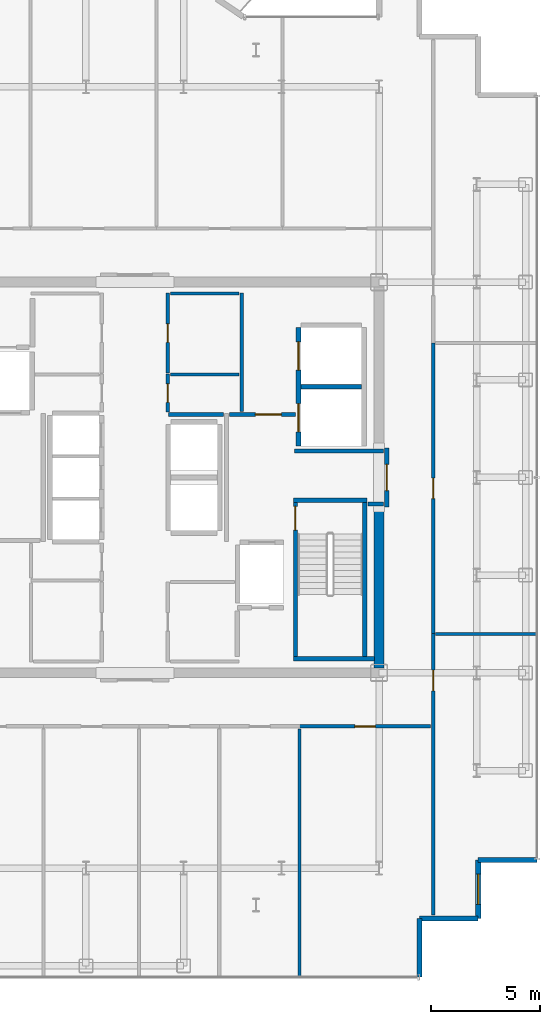
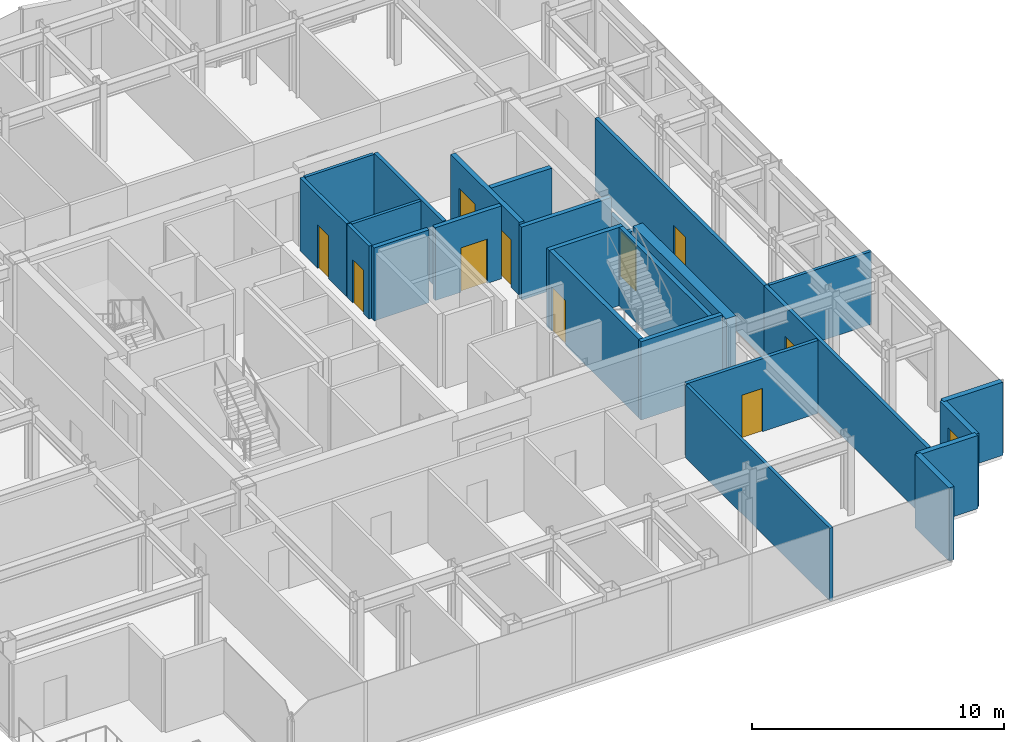
# One storey, part 13 of 17: 26 walls, 10 doors, 1 window, 11 openings.
"""IFC4 building model written with IfcOpenShell, lengths in metres."""

from ifc_helpers import new_model, si_unit, direction, frame, frame_2d, origin, place, context, subcontext, project, spatial, rectangle, extrude, source, transform, mapped, material, layer, layer_set, type_object, element, fill, save


model = new_model("IFC4")

# Units and contexts
model_context = context("Model", 3, precision=1e-05, world=origin(), true_north=direction((0.0, 1.0)))
body_context = subcontext(model_context, "Body", "Model", "MODEL_VIEW")
ifc_project = project(units=[si_unit("LENGTHUNIT", "METRE"), si_unit("AREAUNIT", "SQUARE_METRE"), si_unit("VOLUMEUNIT", "CUBIC_METRE"), si_unit("PLANEANGLEUNIT", "RADIAN"), si_unit("MASSUNIT", "GRAM", prefix="KILO")], contexts=[model_context])

# Site, building, storey
site_placement = place(None, origin())
site = spatial("IfcSite", under=ifc_project, at=site_placement, CompositionType="ELEMENT")
building_placement = place(site_placement, origin())
building = spatial("IfcBuilding", under=site, at=building_placement, Name="Nefas-Gora Pilgrimage Tower", CompositionType="ELEMENT")
storey_placement = place(building_placement, frame((0.0, 0.0, 279.800048828125)))
storey = spatial("IfcBuildingStorey", under=building, at=storey_placement, Name="L70", CompositionType="ELEMENT", Elevation=279.800048828125)

# Wall
ifc_material_1 = material(Name="Concrete C50/60", Category="concrete")
ifc_layer_1 = layer(ifc_material_1, 0.449951171875)
ifc_layer_set_1 = layer_set([ifc_layer_1], Name="Concrete C50/60")
wall_type_1 = type_object("IfcWallType", Name="SW-CORE-450", PredefinedType="SHEAR", material=ifc_layer_set_1)
shared_shape_1 = source(origin(), body_context, "Body", "SweptSolid", [
    extrude(rectangle(XDim=7.4248046875, YDim=0.449951171875, at=frame_2d((3.71240234375, 0.0))), origin(), (0.0, 0.0, 1.0), 3.800048828125),
])
wall_1_placement = place(storey_placement, frame((11.25, -8.77490234375, 0.0), z_axis=(0.0, 0.0, 1.0), x_axis=(0.0, 1.0, 0.0)))
element("IfcWall", 1, at=wall_1_placement, inside=storey, type_object=wall_type_1, Name="L70 Core Shear Wall E-South", PredefinedType="SHEAR", context=body_context, shape_type="MappedRepresentation", body=[
    mapped(shared_shape_1, transform((0.0, 0.0, 0.0), x_axis=(1.0, 0.0, 0.0), y_axis=(0.0, 1.0, 0.0), z_axis=(0.0, 0.0, 1.0), scale=1.0)),
])

# Wall, opening, window
ifc_material_2 = material(Name="Precast concrete C45/55", Category="concrete")
ifc_layer_2 = layer(ifc_material_2, 0.239990234375)
ifc_layer_set_2 = layer_set([ifc_layer_2], Name="Precast concrete C45/55")
wall_type_2 = type_object("IfcWallType", Name="EW-SERR-240", PredefinedType="SHEAR", material=ifc_layer_set_2)
shared_shape_2 = source(origin(), body_context, "Body", "SweptSolid", [
    extrude(rectangle(XDim=2.699951171875, YDim=0.239990234375, at=frame_2d((1.35009765625, 0.0))), origin(), (0.0, 0.0, 1.0), 3.550048828125),
])
wall_2_placement = place(storey_placement, frame((15.820068359375, -20.320068359375, 0.0), z_axis=(0.0, 0.0, 1.0), x_axis=(0.0, 1.0, 0.0)))
wall_2 = element("IfcWall", 2, at=wall_2_placement, inside=storey, type_object=wall_type_2, Name="L70 Serrated Corner Shear Pier Wall 1", PredefinedType="SHEAR", context=body_context, shape_type="MappedRepresentation", body=[
    mapped(shared_shape_2, transform((0.0, 0.0, 0.0), x_axis=(1.0, 0.0, 0.0), y_axis=(0.0, 1.0, 0.0), z_axis=(0.0, 0.0, 1.0), scale=1.0)),
])
opening_1_placement = place(wall_2_placement, frame((0.64990234375, 0.0, 0.85009765625)))
opening_1 = element("IfcOpeningElement", 3, at=opening_1_placement, cuts=wall_2, Name="Opening W-V2", PredefinedType="OPENING", context=body_context, shape_type="SweptSolid", body=[
    extrude(rectangle(XDim=1.39990234375, YDim=1.800048828125, at=frame_2d((0.699951171875, 0.89990234375))), frame((0.0, 0.1298828125, 0.0), z_axis=(0.0, -1.0, 0.0), x_axis=(1.0, 0.0, 0.0)), (0.0, 0.0, 1.0), 0.260009765625),
])
ifc_material_3 = material(Name="Dark ceramic-fritted operable aluminium-glass window", Category="aluminium")
window_type = type_object("IfcWindowType", Name="WIN-VENT-1400x1800", PartitioningType="SINGLE_PANEL", PredefinedType="WINDOW", material=ifc_material_3)
shared_shape_3 = source(origin(), body_context, "Body", "SweptSolid", [
    extrude(rectangle(XDim=1.39990234375, YDim=1.800048828125, at=frame_2d((0.699951171875, 0.89990234375))), frame((0.0, 0.030029296875, 0.0), z_axis=(0.0, -1.0, 0.0), x_axis=(1.0, 0.0, 0.0)), (0.0, 0.0, 1.0), 0.06005859375),
])
window_placement = place(opening_1_placement, origin())
window = element("IfcWindow", 4, at=window_placement, inside=storey, type_object=window_type, Name="L70 Operable Parallel-Outswing Window 1", OverallHeight=1.800048828125, OverallWidth=1.39990234375, PartitioningType="SINGLE_PANEL", PredefinedType="WINDOW", context=body_context, shape_type="MappedRepresentation", body=[
    mapped(shared_shape_3, transform((0.0, 0.0, 0.0), x_axis=(1.0, 0.0, 0.0), y_axis=(0.0, 1.0, 0.0), z_axis=(0.0, 0.0, 1.0), scale=1.0)),
])
fill(opening_1, window)

# Walls
for number, where, z_axis, x_axis, name in (
    (5, (15.820068359375, -17.6201171875, 0.0), (0.0, 0.0, 1.0), (1.0, 0.0, 0.0), "L70 Serrated Corner Shear Pier Wall 2"),
    (6, (13.1201171875, -23.02001953125, 0.0), (0.0, 0.0, 1.0), (0.0, 1.0, 0.0), "L70 Serrated Corner Shear Pier Wall 25"),
    (7, (13.1201171875, -20.320068359375, 0.0), (0.0, 0.0, 1.0), (1.0, 0.0, 0.0), "L70 Serrated Corner Shear Pier Wall 26"),
):
    element("IfcWall", number, at=place(storey_placement, frame(where, z_axis=z_axis, x_axis=x_axis)), inside=storey, type_object=wall_type_2, Name=name, PredefinedType="SHEAR", context=body_context, shape_type="MappedRepresentation", body=[
        mapped(shared_shape_2, transform((0.0, 0.0, 0.0), x_axis=(1.0, 0.0, 0.0), y_axis=(0.0, 1.0, 0.0), z_axis=(0.0, 0.0, 1.0), scale=1.0)),
    ])
ifc_material_4 = material(Name="Concrete C45/55", Category="concrete")
ifc_layer_3 = layer(ifc_material_4, 0.199951171875)
ifc_layer_set_3 = layer_set([ifc_layer_3], Name="Concrete C45/55")
wall_type_3 = type_object("IfcWallType", Name="IW-STAIR-200", PredefinedType="SOLIDWALL", material=ifc_layer_set_3)
shared_shape_4 = source(origin(), body_context, "Body", "SweptSolid", [
    extrude(rectangle(XDim=3.39990234375, YDim=0.199951171875, at=frame_2d((1.699951171875, 0.0))), origin(), (0.0, 0.0, 1.0), 3.800048828125),
])
wall_3_placement = place(storey_placement, frame((7.300048828125, -1.050048828125, 0.0), z_axis=(0.0, 0.0, 1.0), x_axis=(1.0, 0.0, 0.0)))
element("IfcWall", 8, at=wall_3_placement, inside=storey, type_object=wall_type_3, Name="L70 Stairwell Shear Wall ST-02-near", PredefinedType="SOLIDWALL", context=body_context, shape_type="MappedRepresentation", body=[
    mapped(shared_shape_4, transform((0.0, 0.0, 0.0), x_axis=(1.0, 0.0, 0.0), y_axis=(0.0, 1.0, 0.0), z_axis=(0.0, 0.0, 1.0), scale=1.0)),
])

# Wall, opening, door
shared_shape_5 = source(origin(), body_context, "Body", "SweptSolid", [
    extrude(rectangle(XDim=7.10009765625, YDim=0.199951171875, at=frame_2d((3.550048828125, 0.0))), origin(), (0.0, 0.0, 1.0), 3.800048828125),
])
wall_4_placement = place(storey_placement, frame((7.39990234375, -1.14990234375, 0.0), z_axis=(0.0, 0.0, 1.0), x_axis=(0.0, -1.0, 0.0)))
wall_4 = element("IfcWall", 9, at=wall_4_placement, inside=storey, type_object=wall_type_3, Name="L70 Stairwell Shear Wall ST-02-left", PredefinedType="SOLIDWALL", context=body_context, shape_type="MappedRepresentation", body=[
    mapped(shared_shape_5, transform((0.0, 0.0, 0.0), x_axis=(1.0, 0.0, 0.0), y_axis=(0.0, 1.0, 0.0), z_axis=(0.0, 0.0, 1.0), scale=1.0)),
])
opening_2_placement = place(wall_4_placement, frame((0.179931640625, 0.0, 0.0)))
opening_2 = element("IfcOpeningElement", 10, at=opening_2_placement, cuts=wall_4, Name="Opening ID-ST1", PredefinedType="OPENING", context=body_context, shape_type="SweptSolid", body=[
    extrude(rectangle(XDim=1.10009765625, YDim=2.14990234375, at=frame_2d((0.550048828125, 1.074951171875))), frame((0.0, 0.10986328125, 0.0), z_axis=(0.0, -1.0, 0.0), x_axis=(1.0, 0.0, 0.0)), (0.0, 0.0, 1.0), 0.219970703125),
])
ifc_material_5 = material(Name="Painted galvanised steel fire stair door", Category="steel")
door_type_1 = type_object("IfcDoorType", Name="DR-INT-STAIR-1100", OperationType="NOTDEFINED", PredefinedType="DOOR", material=ifc_material_5)
shared_shape_6 = source(origin(), body_context, "Body", "SweptSolid", [
    extrude(rectangle(XDim=1.10009765625, YDim=2.14990234375, at=frame_2d((0.550048828125, 1.074951171875))), frame((0.0, 0.02490234375, 0.0), z_axis=(0.0, -1.0, 0.0), x_axis=(1.0, 0.0, 0.0)), (0.0, 0.0, 1.0), 0.050048828125),
])
door_1_placement = place(opening_2_placement, origin())
door_1 = element("IfcDoor", 11, at=door_1_placement, inside=storey, type_object=door_type_1, Name="L70 Protected Exit Stair Door ST-02", OperationType="SINGLE_SWING_LEFT", OverallHeight=2.14990234375, OverallWidth=1.10009765625, PredefinedType="DOOR", context=body_context, shape_type="MappedRepresentation", body=[
    mapped(shared_shape_6, transform((0.0, 0.0, 0.0), x_axis=(1.0, 0.0, 0.0), y_axis=(0.0, 1.0, 0.0), z_axis=(0.0, 0.0, 1.0), scale=1.0)),
])
fill(opening_2, door_1)

# Walls
wall_5_placement = place(storey_placement, frame((10.60009765625, -1.14990234375, 0.0), z_axis=(0.0, 0.0, 1.0), x_axis=(0.0, -1.0, 0.0)))
element("IfcWall", 12, at=wall_5_placement, inside=storey, type_object=wall_type_3, Name="L70 Stairwell Shear Wall ST-02-right", PredefinedType="SOLIDWALL", context=body_context, shape_type="MappedRepresentation", body=[
    mapped(shared_shape_5, transform((0.0, 0.0, 0.0), x_axis=(1.0, 0.0, 0.0), y_axis=(0.0, 1.0, 0.0), z_axis=(0.0, 0.0, 1.0), scale=1.0)),
])
shared_shape_7 = source(origin(), body_context, "Body", "SweptSolid", [
    extrude(rectangle(XDim=3.72998046875, YDim=0.199951171875, at=frame_2d((1.864990234375, 0.0))), origin(), (0.0, 0.0, 1.0), 3.800048828125),
])
wall_6_placement = place(storey_placement, frame((7.300048828125, -8.35009765625, 0.0), z_axis=(0.0, 0.0, 1.0), x_axis=(1.0, 0.0, 0.0)))
element("IfcWall", 13, at=wall_6_placement, inside=storey, type_object=wall_type_3, Name="L70 Stairwell Shear Wall ST-02-far", PredefinedType="SOLIDWALL", context=body_context, shape_type="MappedRepresentation", body=[
    mapped(shared_shape_7, transform((0.0, 0.0, 0.0), x_axis=(1.0, 0.0, 0.0), y_axis=(0.0, 1.0, 0.0), z_axis=(0.0, 0.0, 1.0), scale=1.0)),
])

# Wall, openings, doors
ifc_material_6 = material(Name="Concrete C40/50", Category="concrete")
ifc_layer_4 = layer(ifc_material_6, 0.219970703125)
ifc_layer_set_4 = layer_set([ifc_layer_4], Name="Concrete C40/50")
wall_type_4 = type_object("IfcWallType", Name="IW-SHAFT-220", PredefinedType="SOLIDWALL", material=ifc_layer_set_4)
shared_shape_8 = source(origin(), body_context, "Body", "SweptSolid", [
    extrude(rectangle(XDim=5.449951171875, YDim=0.219970703125, at=frame_2d((2.72509765625, 0.0))), origin(), (0.0, 0.0, 1.0), 3.534912109375),
])
wall_7_placement = place(storey_placement, frame((7.5400390625, 6.89990234375, 0.0), z_axis=(0.0, 0.0, 1.0), x_axis=(0.0, -1.0, 0.0)))
wall_7 = element("IfcWall", 14, at=wall_7_placement, inside=storey, type_object=wall_type_4, Name="L70 Hoistway Wall SL-01-02-W", PredefinedType="SOLIDWALL", context=body_context, shape_type="MappedRepresentation", body=[
    mapped(shared_shape_8, transform((0.0, 0.0, 0.0), x_axis=(1.0, 0.0, 0.0), y_axis=(0.0, 1.0, 0.0), z_axis=(0.0, 0.0, 1.0), scale=1.0)),
])
opening_3_placement = place(wall_7_placement, frame((3.5, 0.0, 0.0)))
opening_3 = element("IfcOpeningElement", 15, at=opening_3_placement, cuts=wall_7, Name="Opening LD-SV", PredefinedType="OPENING", context=body_context, shape_type="SweptSolid", body=[
    extrude(rectangle(XDim=1.300048828125, YDim=2.300048828125, at=frame_2d((0.64990234375, 1.14990234375))), frame((0.0, 0.119873046875, 0.0), z_axis=(0.0, -1.0, 0.0), x_axis=(1.0, 0.0, 0.0)), (0.0, 0.0, 1.0), 0.239990234375),
])
opening_4_placement = place(wall_7_placement, frame((0.64990234375, 0.0, 0.0)))
opening_4 = element("IfcOpeningElement", 16, at=opening_4_placement, cuts=wall_7, Name="Opening LD-SV", PredefinedType="OPENING", context=body_context, shape_type="SweptSolid", body=[
    extrude(rectangle(XDim=1.300048828125, YDim=2.300048828125, at=frame_2d((0.64990234375, 1.14990234375))), frame((0.0, 0.119873046875, 0.0), z_axis=(0.0, -1.0, 0.0), x_axis=(1.0, 0.0, 0.0)), (0.0, 0.0, 1.0), 0.239990234375),
])
ifc_material_7 = material(Name="Heavy goods sliding lift landing door")
door_type_2 = type_object("IfcDoorType", Name="DR-LIFT-SERV-1300", OperationType="SLIDING_TO_RIGHT", PredefinedType="DOOR", material=ifc_material_7)
shared_shape_9 = source(origin(), body_context, "Body", "SweptSolid", [
    extrude(rectangle(XDim=1.300048828125, YDim=2.300048828125, at=frame_2d((0.64990234375, 1.14990234375))), frame((0.0, 0.02490234375, 0.0), z_axis=(0.0, -1.0, 0.0), x_axis=(1.0, 0.0, 0.0)), (0.0, 0.0, 1.0), 0.050048828125),
])
door_2_placement = place(opening_3_placement, origin())
door_2 = element("IfcDoor", 17, at=door_2_placement, inside=storey, type_object=door_type_2, Name="L70 Sliding Lift Landing Door SL-01", OperationType="SLIDING_TO_RIGHT", OverallHeight=2.300048828125, OverallWidth=1.300048828125, PredefinedType="DOOR", context=body_context, shape_type="MappedRepresentation", body=[
    mapped(shared_shape_9, transform((0.0, 0.0, 0.0), x_axis=(1.0, 0.0, 0.0), y_axis=(0.0, 1.0, 0.0), z_axis=(0.0, 0.0, 1.0), scale=1.0)),
])
fill(opening_3, door_2)
door_3_placement = place(opening_4_placement, origin())
door_3 = element("IfcDoor", 18, at=door_3_placement, inside=storey, type_object=door_type_2, Name="L70 Sliding Lift Landing Door SL-02", OperationType="SLIDING_TO_RIGHT", OverallHeight=2.300048828125, OverallWidth=1.300048828125, PredefinedType="DOOR", context=body_context, shape_type="MappedRepresentation", body=[
    mapped(shared_shape_9, transform((0.0, 0.0, 0.0), x_axis=(1.0, 0.0, 0.0), y_axis=(0.0, 1.0, 0.0), z_axis=(0.0, 0.0, 1.0), scale=1.0)),
])
fill(opening_4, door_3)

# Walls
shared_shape_10 = source(origin(), body_context, "Body", "SweptSolid", [
    extrude(rectangle(XDim=2.780029296875, YDim=0.219970703125, at=frame_2d((1.39013671875, 0.0))), origin(), (0.0, 0.0, 1.0), 3.534912109375),
])
wall_8_placement = place(storey_placement, frame((7.659912109375, 4.175048828125, 0.0), z_axis=(0.0, 0.0, 1.0), x_axis=(1.0, 0.0, 0.0)))
element("IfcWall", 19, at=wall_8_placement, inside=storey, type_object=wall_type_4, Name="L70 Hoistway Wall SL-01-02-DIV", PredefinedType="SOLIDWALL", context=body_context, shape_type="MappedRepresentation", body=[
    mapped(shared_shape_10, transform((0.0, 0.0, 0.0), x_axis=(1.0, 0.0, 0.0), y_axis=(0.0, 1.0, 0.0), z_axis=(0.0, 0.0, 1.0), scale=1.0)),
])
ifc_material_8 = material(Name="Gypsum fire-rated shaftwall")
ifc_layer_5 = layer(ifc_material_8, 0.199951171875)
ifc_layer_set_5 = layer_set([ifc_layer_5], Name="Gypsum fire-rated shaftwall")
wall_type_5 = type_object("IfcWallType", Name="IW-FFLOB-200", PredefinedType="PARTITIONING", material=ifc_layer_set_5)
shared_shape_11 = source(origin(), body_context, "Body", "SweptSolid", [
    extrude(rectangle(XDim=0.719970703125, YDim=0.199951171875, at=frame_2d((0.35986328125, 0.0))), origin(), (0.0, 0.0, 1.0), 3.534912109375),
])
wall_9_placement = place(storey_placement, frame((10.739990234375, -1.219970703125, 0.0), z_axis=(0.0, 0.0, 1.0), x_axis=(1.0, 0.0, 0.0)))
element("IfcWall", 20, at=wall_9_placement, inside=storey, type_object=wall_type_5, Name="L70 FF Lobby East Throat S Wall 15", PredefinedType="PARTITIONING", context=body_context, shape_type="MappedRepresentation", body=[
    mapped(shared_shape_11, transform((0.0, 0.0, 0.0), x_axis=(1.0, 0.0, 0.0), y_axis=(0.0, 1.0, 0.0), z_axis=(0.0, 0.0, 1.0), scale=1.0)),
])

# Wall, opening, door
shared_shape_12 = source(origin(), body_context, "Body", "SweptSolid", [
    extrude(rectangle(XDim=3.039794921875, YDim=0.199951171875, at=frame_2d((1.52001953125, 0.0))), origin(), (0.0, 0.0, 1.0), 3.534912109375),
])
wall_10_placement = place(storey_placement, frame((4.360107421875, 2.89990234375, 0.0), z_axis=(0.0, 0.0, 1.0), x_axis=(1.0, 0.0, 0.0)))
wall_10 = element("IfcWall", 21, at=wall_10_placement, inside=storey, type_object=wall_type_5, Name="L70 FF Lobby East North Wall Wall 13", PredefinedType="PARTITIONING", context=body_context, shape_type="MappedRepresentation", body=[
    mapped(shared_shape_12, transform((0.0, 0.0, 0.0), x_axis=(1.0, 0.0, 0.0), y_axis=(0.0, 1.0, 0.0), z_axis=(0.0, 0.0, 1.0), scale=1.0)),
])
opening_5_placement = place(wall_10_placement, frame((1.18994140625, 0.0, 0.0)))
opening_5 = element("IfcOpeningElement", 22, at=opening_5_placement, cuts=wall_10, Name="Opening ID-PL1", PredefinedType="OPENING", context=body_context, shape_type="SweptSolid", body=[
    extrude(rectangle(XDim=1.199951171875, YDim=2.14990234375, at=frame_2d((0.60009765625, 1.074951171875))), frame((0.0, 0.10986328125, 0.0), z_axis=(0.0, -1.0, 0.0), x_axis=(1.0, 0.0, 0.0)), (0.0, 0.0, 1.0), 0.219970703125),
])
ifc_material_9 = material(Name="Heavy-duty steel plant room fire door", Category="steel")
door_type_3 = type_object("IfcDoorType", Name="DR-INT-PLANT-1200", OperationType="NOTDEFINED", PredefinedType="DOOR", material=ifc_material_9)
shared_shape_13 = source(origin(), body_context, "Body", "SweptSolid", [
    extrude(rectangle(XDim=1.199951171875, YDim=2.14990234375, at=frame_2d((0.60009765625, 1.074951171875))), frame((0.0, 0.02490234375, 0.0), z_axis=(0.0, -1.0, 0.0), x_axis=(1.0, 0.0, 0.0)), (0.0, 0.0, 1.0), 0.050048828125),
])
door_4_placement = place(opening_5_placement, origin())
door_4 = element("IfcDoor", 23, at=door_4_placement, inside=storey, type_object=door_type_3, Name="L70 Service Lift Lobby Door Door 5", OperationType="SINGLE_SWING_LEFT", OverallHeight=2.14990234375, OverallWidth=1.199951171875, PredefinedType="DOOR", context=body_context, shape_type="MappedRepresentation", body=[
    mapped(shared_shape_13, transform((0.0, 0.0, 0.0), x_axis=(1.0, 0.0, 0.0), y_axis=(0.0, 1.0, 0.0), z_axis=(0.0, 0.0, 1.0), scale=1.0)),
])
fill(opening_5, door_4)

# Walls
shared_shape_14 = source(origin(), body_context, "Body", "SweptSolid", [
    extrude(rectangle(XDim=4.10986328125, YDim=0.199951171875, at=frame_2d((2.054931640625, 0.0))), origin(), (0.0, 0.0, 1.0), 3.534912109375),
])
wall_11_placement = place(storey_placement, frame((7.35009765625, 1.219970703125, 0.0), z_axis=(0.0, 0.0, 1.0), x_axis=(1.0, 0.0, 0.0)))
element("IfcWall", 24, at=wall_11_placement, inside=storey, type_object=wall_type_5, Name="L70 FF Lobby East Throat N Wall 14", PredefinedType="PARTITIONING", context=body_context, shape_type="MappedRepresentation", body=[
    mapped(shared_shape_14, transform((0.0, 0.0, 0.0), x_axis=(1.0, 0.0, 0.0), y_axis=(0.0, 1.0, 0.0), z_axis=(0.0, 0.0, 1.0), scale=1.0)),
])
ifc_material_10 = material(Name="Gypsum twin-stud partition")
ifc_layer_6 = layer(ifc_material_10, 0.139892578125)
ifc_layer_set_6 = layer_set([ifc_layer_6], Name="Gypsum twin-stud partition")
wall_type_6 = type_object("IfcWallType", Name="IW-UNIT-140", PredefinedType="PARTITIONING", material=ifc_layer_set_6)
shared_shape_15 = source(origin(), body_context, "Body", "SweptSolid", [
    extrude(rectangle(XDim=3.150146484375, YDim=0.139892578125, at=frame_2d((1.5751953125, 0.0))), origin(), (0.0, 0.0, 1.0), 3.534912109375),
])
for number, where, z_axis, x_axis, name in (
    (25, (1.639892578125, 4.75, 0.0), (0.0, 0.0, 1.0), (1.0, 0.0, 0.0), "L70 Clean Blanket and Robe Store Partition Wall 24"),
    (26, (1.639892578125, 8.47998046875, 0.0), (0.0, 0.0, 1.0), (1.0, 0.0, 0.0), "L70 Amenity Supply Store Partition Wall 26"),
):
    element("IfcWall", number, at=place(storey_placement, frame(where, z_axis=z_axis, x_axis=x_axis)), inside=storey, type_object=wall_type_6, Name=name, PredefinedType="PARTITIONING", context=body_context, shape_type="MappedRepresentation", body=[
        mapped(shared_shape_15, transform((0.0, 0.0, 0.0), x_axis=(1.0, 0.0, 0.0), y_axis=(0.0, 1.0, 0.0), z_axis=(0.0, 0.0, 1.0), scale=1.0)),
    ])

# Wall, opening, door
ifc_material_11 = material(Name="Gypsum acoustic stud partition")
ifc_layer_7 = layer(ifc_material_11, 0.159912109375)
ifc_layer_set_7 = layer_set([ifc_layer_7], Name="Gypsum acoustic stud partition")
wall_type_7 = type_object("IfcWallType", Name="IW-CORR-160", PredefinedType="PARTITIONING", material=ifc_layer_set_7)
shared_shape_16 = source(origin(), body_context, "Body", "SweptSolid", [
    extrude(rectangle(XDim=6.025146484375, YDim=0.159912109375, at=frame_2d((3.0126953125, 0.0))), origin(), (0.0, 0.0, 1.0), 3.534912109375),
])
wall_12_placement = place(storey_placement, frame((7.594970703125, -11.469970703125, 0.0), z_axis=(0.0, 0.0, 1.0), x_axis=(1.0, 0.0, 0.0)))
wall_12 = element("IfcWall", 27, at=wall_12_placement, inside=storey, type_object=wall_type_7, Name="L70 Pilgrim Contemplative Lounge Partition Wall 71", PredefinedType="PARTITIONING", context=body_context, shape_type="MappedRepresentation", body=[
    mapped(shared_shape_16, transform((0.0, 0.0, 0.0), x_axis=(1.0, 0.0, 0.0), y_axis=(0.0, 1.0, 0.0), z_axis=(0.0, 0.0, 1.0), scale=1.0)),
])
opening_6_placement = place(wall_12_placement, frame((2.53759765625, 0.0, 0.0)))
opening_6 = element("IfcOpeningElement", 28, at=opening_6_placement, cuts=wall_12, Name="Opening ID-GR1", PredefinedType="OPENING", context=body_context, shape_type="SweptSolid", body=[
    extrude(rectangle(XDim=0.949951171875, YDim=2.10009765625, at=frame_2d((0.47509765625, 1.050048828125))), frame((0.0, 0.08984375, 0.0), z_axis=(0.0, -1.0, 0.0), x_axis=(1.0, 0.0, 0.0)), (0.0, 0.0, 1.0), 0.179931640625),
])
ifc_material_12 = material(Name="Solid core oak fire-rated guest entrance door")
door_type_4 = type_object("IfcDoorType", Name="DR-INT-GUEST-950", OperationType="NOTDEFINED", PredefinedType="DOOR", material=ifc_material_12)
shared_shape_17 = source(origin(), body_context, "Body", "SweptSolid", [
    extrude(rectangle(XDim=0.949951171875, YDim=2.10009765625, at=frame_2d((0.47509765625, 1.050048828125))), frame((0.0, 0.02490234375, 0.0), z_axis=(0.0, -1.0, 0.0), x_axis=(1.0, 0.0, 0.0)), (0.0, 0.0, 1.0), 0.050048828125),
])
door_5_placement = place(opening_6_placement, origin())
door_5 = element("IfcDoor", 29, at=door_5_placement, inside=storey, type_object=door_type_4, Name="L70 Pilgrim Contemplative Lounge Door 34", OperationType="SINGLE_SWING_RIGHT", OverallHeight=2.10009765625, OverallWidth=0.949951171875, PredefinedType="DOOR", context=body_context, shape_type="MappedRepresentation", body=[
    mapped(shared_shape_17, transform((0.0, 0.0, 0.0), x_axis=(1.0, 0.0, 0.0), y_axis=(0.0, 1.0, 0.0), z_axis=(0.0, 0.0, 1.0), scale=1.0)),
])
fill(opening_6, door_5)

shared_shape_18 = source(origin(), body_context, "Body", "SweptSolid", [
    extrude(rectangle(XDim=13.41015625, YDim=0.159912109375, at=frame_2d((6.705078125, 0.0))), origin(), (0.0, 0.0, 1.0), 3.534912109375),
])
wall_13_placement = place(storey_placement, frame((13.739990234375, -7.205078125, 0.0), z_axis=(0.0, 0.0, 1.0), x_axis=(0.0, 1.0, 0.0)))
wall_13 = element("IfcWall", 30, at=wall_13_placement, inside=storey, type_object=wall_type_7, Name="L70 Pilgrim Fellowship Seminar Room Partition Wall 50", PredefinedType="PARTITIONING", context=body_context, shape_type="MappedRepresentation", body=[
    mapped(shared_shape_18, transform((0.0, 0.0, 0.0), x_axis=(1.0, 0.0, 0.0), y_axis=(0.0, 1.0, 0.0), z_axis=(0.0, 0.0, 1.0), scale=1.0)),
])
opening_7_placement = place(wall_13_placement, frame((6.22998046875, 0.0, 0.0)))
opening_7 = element("IfcOpeningElement", 31, at=opening_7_placement, cuts=wall_13, Name="Opening ID-GR1", PredefinedType="OPENING", context=body_context, shape_type="SweptSolid", body=[
    extrude(rectangle(XDim=0.949951171875, YDim=2.10009765625, at=frame_2d((0.47509765625, 1.050048828125))), frame((0.0, 0.08984375, 0.0), z_axis=(0.0, -1.0, 0.0), x_axis=(1.0, 0.0, 0.0)), (0.0, 0.0, 1.0), 0.179931640625),
])
door_6_placement = place(opening_7_placement, origin())
door_6 = element("IfcDoor", 32, at=door_6_placement, inside=storey, type_object=door_type_4, Name="L70 Pilgrim Fellowship Seminar Room Door 22", OperationType="SINGLE_SWING_RIGHT", OverallHeight=2.10009765625, OverallWidth=0.949951171875, PredefinedType="DOOR", context=body_context, shape_type="MappedRepresentation", body=[
    mapped(shared_shape_17, transform((0.0, 0.0, 0.0), x_axis=(1.0, 0.0, 0.0), y_axis=(0.0, 1.0, 0.0), z_axis=(0.0, 0.0, 1.0), scale=1.0)),
])
fill(opening_7, door_6)

# Walls
shared_shape_19 = source(origin(), body_context, "Body", "SweptSolid", [
    extrude(rectangle(XDim=2.52001953125, YDim=0.199951171875, at=frame_2d((1.260009765625, 0.0))), origin(), (0.0, 0.0, 1.0), 3.534912109375),
])
wall_14_placement = place(storey_placement, frame((1.56005859375, 2.89990234375, 0.0), z_axis=(0.0, 0.0, 1.0), x_axis=(1.0, 0.0, 0.0)))
element("IfcWall", 33, at=wall_14_placement, inside=storey, type_object=wall_type_5, Name="L70 FF Lobby East North Wall Wall 12", PredefinedType="PARTITIONING", context=body_context, shape_type="MappedRepresentation", body=[
    mapped(shared_shape_19, transform((0.0, 0.0, 0.0), x_axis=(1.0, 0.0, 0.0), y_axis=(0.0, 1.0, 0.0), z_axis=(0.0, 0.0, 1.0), scale=1.0)),
])
shared_shape_20 = source(origin(), body_context, "Body", "SweptSolid", [
    extrude(rectangle(XDim=5.449951171875, YDim=0.159912109375, at=frame_2d((2.72509765625, 0.0))), origin(), (0.0, 0.0, 1.0), 3.534912109375),
])
wall_15_placement = place(storey_placement, frame((4.919921875, 3.0400390625, 0.0), z_axis=(0.0, 0.0, 1.0), x_axis=(0.0, 1.0, 0.0)))
element("IfcWall", 34, at=wall_15_placement, inside=storey, type_object=wall_type_7, Name="L70 Service Lift Lobby West Wall Wall 18", PredefinedType="PARTITIONING", context=body_context, shape_type="MappedRepresentation", body=[
    mapped(shared_shape_20, transform((0.0, 0.0, 0.0), x_axis=(1.0, 0.0, 0.0), y_axis=(0.0, 1.0, 0.0), z_axis=(0.0, 0.0, 1.0), scale=1.0)),
])

# Wall, opening, door
shared_shape_21 = source(origin(), body_context, "Body", "SweptSolid", [
    extrude(rectangle(XDim=1.75, YDim=0.159912109375, at=frame_2d((0.875, 0.0))), origin(), (0.0, 0.0, 1.0), 3.534912109375),
])
wall_16_placement = place(storey_placement, frame((1.52001953125, 3.010009765625, 0.0), z_axis=(0.0, 0.0, 1.0), x_axis=(0.0, 1.0, 0.0)))
wall_16 = element("IfcWall", 35, at=wall_16_placement, inside=storey, type_object=wall_type_7, Name="L70 Clean Blanket and Robe Store Wall 23", PredefinedType="PARTITIONING", context=body_context, shape_type="MappedRepresentation", body=[
    mapped(shared_shape_21, transform((0.0, 0.0, 0.0), x_axis=(1.0, 0.0, 0.0), y_axis=(0.0, 1.0, 0.0), z_axis=(0.0, 0.0, 1.0), scale=1.0)),
])
opening_8_placement = place(wall_16_placement, frame((0.449951171875, 0.0, 0.0)))
opening_8 = element("IfcOpeningElement", 36, at=opening_8_placement, cuts=wall_16, Name="Opening ID-BT1", PredefinedType="OPENING", context=body_context, shape_type="SweptSolid", body=[
    extrude(rectangle(XDim=0.85009765625, YDim=2.10009765625, at=frame_2d((0.425048828125, 1.050048828125))), frame((0.0, 0.08984375, 0.0), z_axis=(0.0, -1.0, 0.0), x_axis=(1.0, 0.0, 0.0)), (0.0, 0.0, 1.0), 0.179931640625),
])
ifc_material_13 = material(Name="Moisture-resistant fire-rated timber door", Category="wood")
door_type_5 = type_object("IfcDoorType", Name="DR-INT-BATH-850", OperationType="NOTDEFINED", PredefinedType="DOOR", material=ifc_material_13)
shared_shape_22 = source(origin(), body_context, "Body", "SweptSolid", [
    extrude(rectangle(XDim=0.85009765625, YDim=2.10009765625, at=frame_2d((0.425048828125, 1.050048828125))), frame((0.0, 0.02490234375, 0.0), z_axis=(0.0, -1.0, 0.0), x_axis=(1.0, 0.0, 0.0)), (0.0, 0.0, 1.0), 0.050048828125),
])
door_7_placement = place(opening_8_placement, origin())
door_7 = element("IfcDoor", 37, at=door_7_placement, inside=storey, type_object=door_type_5, Name="L70 Clean Blanket and Robe Store Door 10", OperationType="SINGLE_SWING_RIGHT", OverallHeight=2.10009765625, OverallWidth=0.85009765625, PredefinedType="DOOR", context=body_context, shape_type="MappedRepresentation", body=[
    mapped(shared_shape_22, transform((0.0, 0.0, 0.0), x_axis=(1.0, 0.0, 0.0), y_axis=(0.0, 1.0, 0.0), z_axis=(0.0, 0.0, 1.0), scale=1.0)),
])
fill(opening_8, door_7)

shared_shape_23 = source(origin(), body_context, "Body", "SweptSolid", [
    extrude(rectangle(XDim=3.679931640625, YDim=0.159912109375, at=frame_2d((1.83984375, 0.0))), origin(), (0.0, 0.0, 1.0), 3.534912109375),
])
wall_17_placement = place(storey_placement, frame((1.52001953125, 4.81005859375, 0.0), z_axis=(0.0, 0.0, 1.0), x_axis=(0.0, 1.0, 0.0)))
wall_17 = element("IfcWall", 38, at=wall_17_placement, inside=storey, type_object=wall_type_7, Name="L70 Amenity Supply Store Wall 25", PredefinedType="PARTITIONING", context=body_context, shape_type="MappedRepresentation", body=[
    mapped(shared_shape_23, transform((0.0, 0.0, 0.0), x_axis=(1.0, 0.0, 0.0), y_axis=(0.0, 1.0, 0.0), z_axis=(0.0, 0.0, 1.0), scale=1.0)),
])
opening_9_placement = place(wall_17_placement, frame((1.4150390625, 0.0, 0.0)))
opening_9 = element("IfcOpeningElement", 39, at=opening_9_placement, cuts=wall_17, Name="Opening ID-BT1", PredefinedType="OPENING", context=body_context, shape_type="SweptSolid", body=[
    extrude(rectangle(XDim=0.85009765625, YDim=2.10009765625, at=frame_2d((0.425048828125, 1.050048828125))), frame((0.0, 0.08984375, 0.0), z_axis=(0.0, -1.0, 0.0), x_axis=(1.0, 0.0, 0.0)), (0.0, 0.0, 1.0), 0.179931640625),
])
door_8_placement = place(opening_9_placement, origin())
door_8 = element("IfcDoor", 40, at=door_8_placement, inside=storey, type_object=door_type_5, Name="L70 Amenity Supply Store Door 11", OperationType="SINGLE_SWING_LEFT", OverallHeight=2.10009765625, OverallWidth=0.85009765625, PredefinedType="DOOR", context=body_context, shape_type="MappedRepresentation", body=[
    mapped(shared_shape_22, transform((0.0, 0.0, 0.0), x_axis=(1.0, 0.0, 0.0), y_axis=(0.0, 1.0, 0.0), z_axis=(0.0, 0.0, 1.0), scale=1.0)),
])
fill(opening_9, door_8)

shared_shape_24 = source(origin(), body_context, "Body", "SweptSolid", [
    extrude(rectangle(XDim=2.7001953125, YDim=0.199951171875, at=frame_2d((1.35009765625, 0.0))), origin(), (0.0, 0.0, 1.0), 2.625),
])
wall_18_placement = place(storey_placement, frame((11.60009765625, -1.35009765625, 0.0), z_axis=(0.0, 0.0, 1.0), x_axis=(0.0, 1.0, 0.0)))
wall_18 = element("IfcWall", 41, at=wall_18_placement, inside=storey, type_object=wall_type_5, Name="L70 FF Lobby East Portal Wall 10", PredefinedType="PARTITIONING", context=body_context, shape_type="MappedRepresentation", body=[
    mapped(shared_shape_24, transform((0.0, 0.0, 0.0), x_axis=(1.0, 0.0, 0.0), y_axis=(0.0, 1.0, 0.0), z_axis=(0.0, 0.0, 1.0), scale=1.0)),
])
opening_10_placement = place(wall_18_placement, frame((0.75, 0.0, 0.0)))
opening_10 = element("IfcOpeningElement", 42, at=opening_10_placement, cuts=wall_18, Name="Opening ID-FF1", PredefinedType="OPENING", context=body_context, shape_type="SweptSolid", body=[
    extrude(rectangle(XDim=1.199951171875, YDim=2.14990234375, at=frame_2d((0.60009765625, 1.074951171875))), frame((0.0, 0.10986328125, 0.0), z_axis=(0.0, -1.0, 0.0), x_axis=(1.0, 0.0, 0.0)), (0.0, 0.0, 1.0), 0.219970703125),
])
ifc_material_14 = material(Name="Smoke-sealed steel firefighting lobby door", Category="steel")
door_type_6 = type_object("IfcDoorType", Name="DR-INT-FFLOB-1200", OperationType="NOTDEFINED", PredefinedType="DOOR", material=ifc_material_14)
door_9_placement = place(opening_10_placement, origin())
door_9 = element("IfcDoor", 43, at=door_9_placement, inside=storey, type_object=door_type_6, Name="L70 FF Lobby East Portal Door 4", OperationType="SINGLE_SWING_RIGHT", OverallHeight=2.14990234375, OverallWidth=1.199951171875, PredefinedType="DOOR", context=body_context, shape_type="MappedRepresentation", body=[
    mapped(shared_shape_13, transform((0.0, 0.0, 0.0), x_axis=(1.0, 0.0, 0.0), y_axis=(0.0, 1.0, 0.0), z_axis=(0.0, 0.0, 1.0), scale=1.0)),
])
fill(opening_10, door_9)

# Wall
shared_shape_25 = source(origin(), body_context, "Body", "SweptSolid", [
    extrude(rectangle(XDim=11.449951171875, YDim=0.139892578125, at=frame_2d((5.72509765625, 0.0))), origin(), (0.0, 0.0, 1.0), 3.534912109375),
])
wall_19_placement = place(storey_placement, frame((7.594970703125, -23.0400390625, 0.0), z_axis=(0.0, 0.0, 1.0), x_axis=(0.0, 1.0, 0.0)))
element("IfcWall", 44, at=wall_19_placement, inside=storey, type_object=wall_type_6, Name="L70 Pilgrim Contemplative Lounge Partition Wall 70", PredefinedType="PARTITIONING", context=body_context, shape_type="MappedRepresentation", body=[
    mapped(shared_shape_25, transform((0.0, 0.0, 0.0), x_axis=(1.0, 0.0, 0.0), y_axis=(0.0, 1.0, 0.0), z_axis=(0.0, 0.0, 1.0), scale=1.0)),
])

# Wall, opening, door
shared_shape_26 = source(origin(), body_context, "Body", "SweptSolid", [
    extrude(rectangle(XDim=12.96484375, YDim=0.159912109375, at=frame_2d((6.482421875, 0.0))), origin(), (0.0, 0.0, 1.0), 3.534912109375),
])
wall_20_placement = place(storey_placement, frame((13.739990234375, -20.159912109375, 0.0), z_axis=(0.0, 0.0, 1.0), x_axis=(0.0, 1.0, 0.0)))
wall_20 = element("IfcWall", 45, at=wall_20_placement, inside=storey, type_object=wall_type_7, Name="L70 Pilgrim Fellowship Seminar Room Partition Wall 48", PredefinedType="PARTITIONING", context=body_context, shape_type="MappedRepresentation", body=[
    mapped(shared_shape_26, transform((0.0, 0.0, 0.0), x_axis=(1.0, 0.0, 0.0), y_axis=(0.0, 1.0, 0.0), z_axis=(0.0, 0.0, 1.0), scale=1.0)),
])
opening_11_placement = place(wall_20_placement, frame((10.33251953125, 0.0, 0.0)))
opening_11 = element("IfcOpeningElement", 46, at=opening_11_placement, cuts=wall_20, Name="Opening ID-GR1", PredefinedType="OPENING", context=body_context, shape_type="SweptSolid", body=[
    extrude(rectangle(XDim=0.949951171875, YDim=2.10009765625, at=frame_2d((0.47509765625, 1.050048828125))), frame((0.0, 0.08984375, 0.0), z_axis=(0.0, -1.0, 0.0), x_axis=(1.0, 0.0, 0.0)), (0.0, 0.0, 1.0), 0.179931640625),
])
door_10_placement = place(opening_11_placement, origin())
door_10 = element("IfcDoor", 47, at=door_10_placement, inside=storey, type_object=door_type_4, Name="L70 Pilgrim Fellowship Seminar Room Door 21", OperationType="SINGLE_SWING_LEFT", OverallHeight=2.10009765625, OverallWidth=0.949951171875, PredefinedType="DOOR", context=body_context, shape_type="MappedRepresentation", body=[
    mapped(shared_shape_17, transform((0.0, 0.0, 0.0), x_axis=(1.0, 0.0, 0.0), y_axis=(0.0, 1.0, 0.0), z_axis=(0.0, 0.0, 1.0), scale=1.0)),
])
fill(opening_11, door_10)

# Wall
shared_shape_27 = source(origin(), body_context, "Body", "SweptSolid", [
    extrude(rectangle(XDim=4.679931640625, YDim=0.139892578125, at=frame_2d((2.33984375, 0.0))), origin(), (0.0, 0.0, 1.0), 3.534912109375),
])
wall_21_placement = place(storey_placement, frame((13.860107421875, -7.205078125, 0.0), z_axis=(0.0, 0.0, 1.0), x_axis=(1.0, 0.0, 0.0)))
element("IfcWall", 48, at=wall_21_placement, inside=storey, type_object=wall_type_6, Name="L70 Pilgrim Fellowship Seminar Room Partition Wall 49", PredefinedType="PARTITIONING", context=body_context, shape_type="MappedRepresentation", body=[
    mapped(shared_shape_27, transform((0.0, 0.0, 0.0), x_axis=(1.0, 0.0, 0.0), y_axis=(0.0, 1.0, 0.0), z_axis=(0.0, 0.0, 1.0), scale=1.0)),
])

save(model, "model.ifc")
